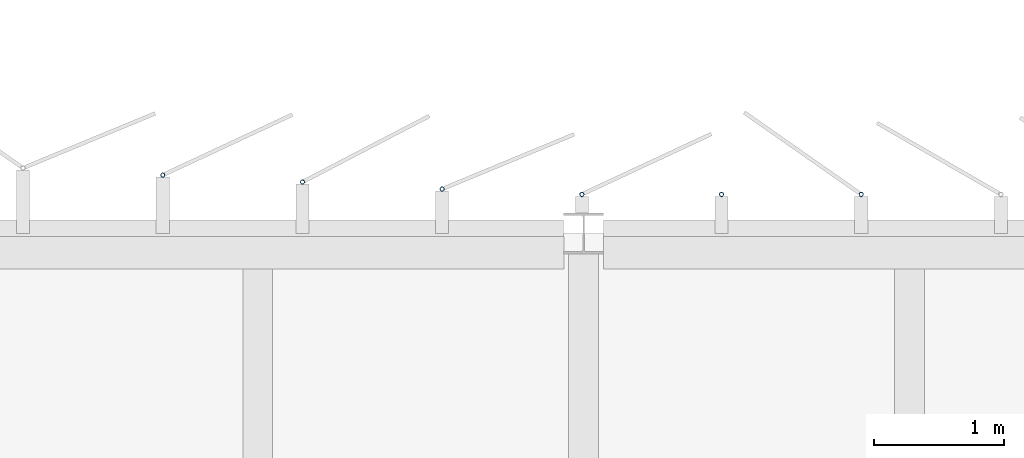
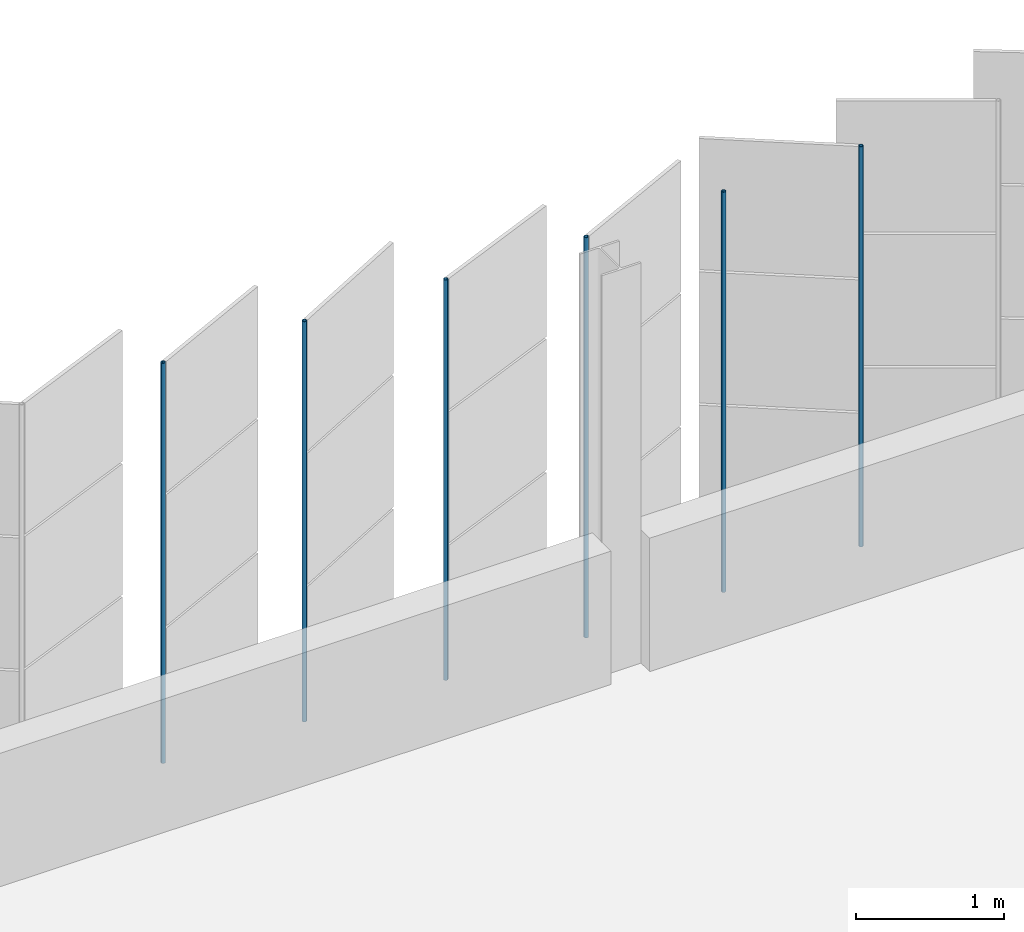
# One storey, part 149 of 214: 6 discrete accessories.
"""IFC4 building model written with IfcOpenShell, lengths in metres."""

from ifc_helpers import new_model, si_unit, direction, frame, origin, origin_2d, place, context, subcontext, project, spatial, hollow_circle, extrude, material, material_profile, profile_set, type_object, element, save


model = new_model("IFC4")

# Units and contexts
model_context = context("Model", 3, precision=1e-05, world=origin(), true_north=direction((0.0, 1.0)))
body_context = subcontext(model_context, "Body", "Model", "MODEL_VIEW")
ifc_project = project(units=[si_unit("LENGTHUNIT", "METRE"), si_unit("AREAUNIT", "SQUARE_METRE"), si_unit("VOLUMEUNIT", "CUBIC_METRE"), si_unit("PLANEANGLEUNIT", "RADIAN"), si_unit("MASSUNIT", "GRAM", prefix="KILO")], contexts=[model_context])

# Site, building, storey
site_placement = place(None, origin())
site = spatial("IfcSite", under=ifc_project, at=site_placement, CompositionType="ELEMENT")
building_placement = place(site_placement, origin())
building = spatial("IfcBuilding", under=site, at=building_placement, Name="Parallax Yard Mobility Hub", CompositionType="ELEMENT")
storey_placement = place(building_placement, frame((0.0, 0.0, 3.300048828125)))
storey = spatial("IfcBuildingStorey", under=building, at=storey_placement, Name="L01", CompositionType="ELEMENT", Elevation=3.300048828125)

# Discrete accessories
ifc_material = material(Name="Steel ASTM A500 Gr C, hot-dip galvanised", Category="steel")
ifc_material_profile = material_profile(ifc_material, hollow_circle(Radius=0.016845703125, WallThickness=0.003173828125, at=origin_2d()), Name="CHS 33.7x3.2")
ifc_profile_set = profile_set([ifc_material_profile], Name="Steel ASTM A500 Gr C, hot-dip galvanised")
discrete_accessory_type = type_object("IfcDiscreteAccessoryType", Name="Hinge post CHS 33.7x3.2", PredefinedType="BRACKET", material=ifc_profile_set)
for number, where, z_axis, x_axis, name in (
    (1, (47.1298828125, 142.800048828125, 0.0), (0.0, 0.0, 1.0), (1.0, 0.0, 0.0), "Hinge post bay 67.6 level L01"),
    (2, (46.058349609375, 142.800048828125, 0.0), (0.0, 0.0, 1.0), (1.0, 0.0, 0.0), "Hinge post bay 67.7 level L01"),
    (3, (44.98681640625, 142.800048828125, 0.0), (0.0, 0.0, 1.0), (1.0, 0.0, 0.0), "Hinge post bay 68.1 level L01"),
    (4, (43.915283203125, 142.841064453125, 0.0), (0.0, 0.0, 1.0), (1.0, 0.0, 0.0), "Hinge post bay 68.2 level L01"),
    (5, (42.84375, 142.894775390625, 0.0), (0.0, 0.0, 1.0), (1.0, 0.0, 0.0), "Hinge post bay 68.3 level L01"),
    (6, (41.772216796875, 142.9482421875, 0.0), (0.0, 0.0, 1.0), (1.0, 0.0, 0.0), "Hinge post bay 68.4 level L01"),
):
    element("IfcDiscreteAccessory", number, at=place(storey_placement, frame(where, z_axis=z_axis, x_axis=x_axis)), inside=storey, type_object=discrete_accessory_type, Name=name, PredefinedType="BRACKET", context=body_context, shape_type="SweptSolid", body=[
        extrude(hollow_circle(Radius=0.016845703125, WallThickness=0.003173828125, at=origin_2d()), origin(), (0.0, 0.0, 1.0), 3.300048828125),
    ])

save(model, "model.ifc")
